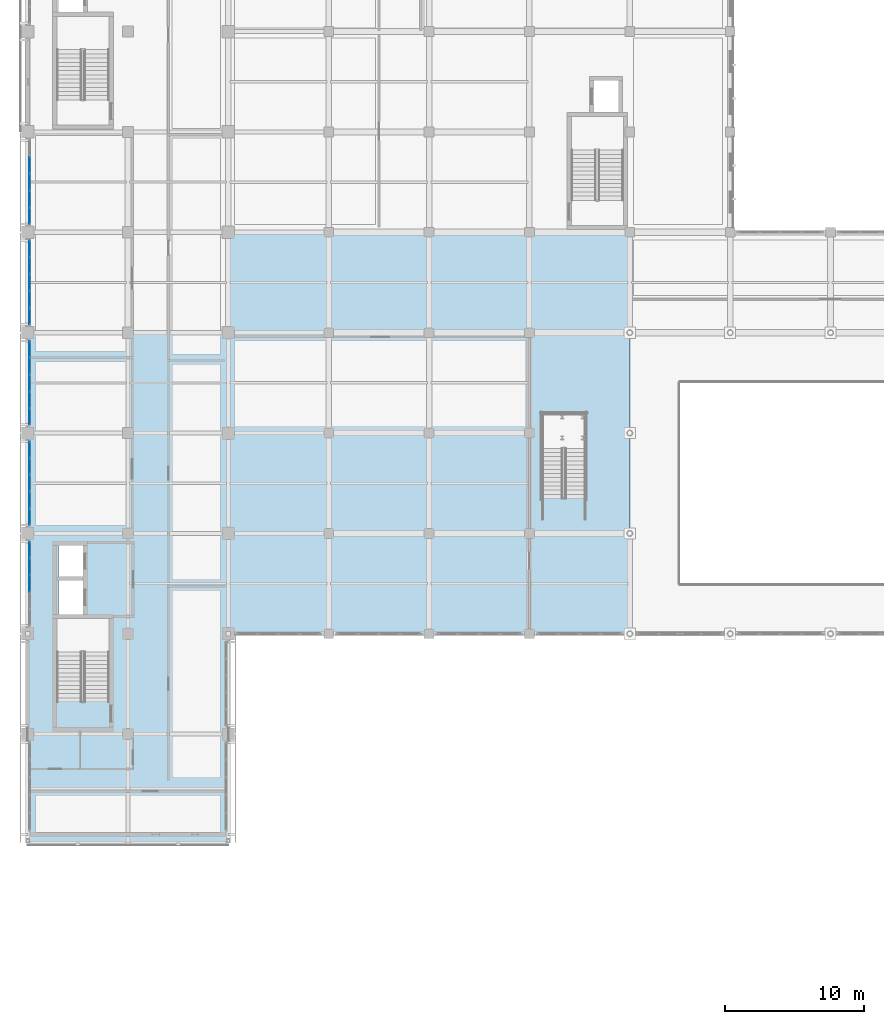
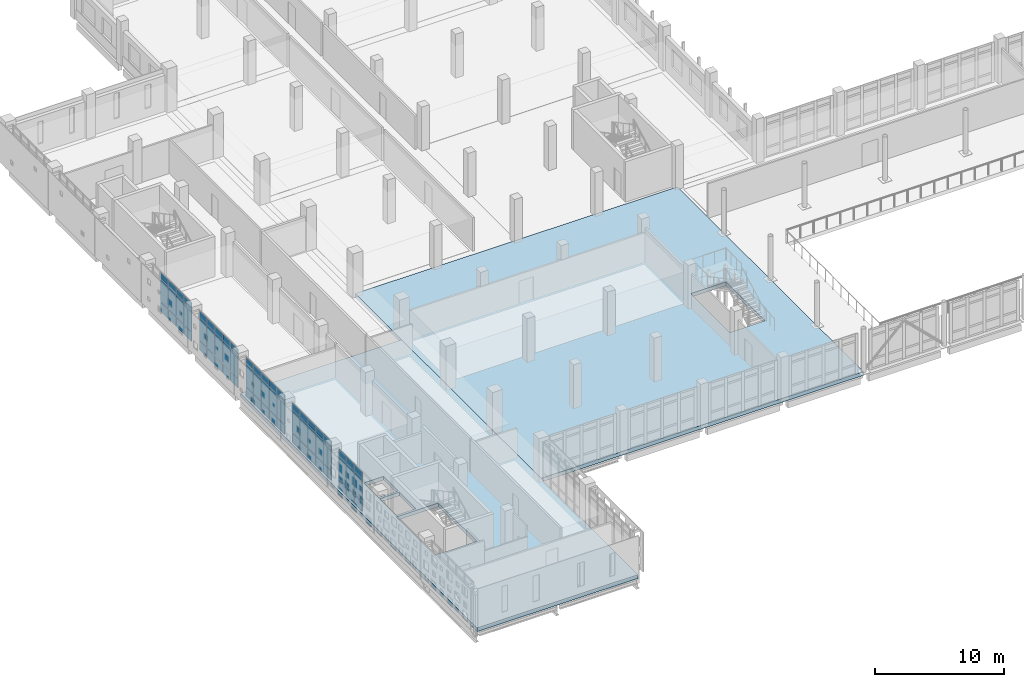
# One storey, part 29 of 62: 66 plates, 2 slabs, 5 elements without a shape of their own.
"""IFC4 building model written with IfcOpenShell, lengths in metres."""

from ifc_helpers import new_model, si_unit, direction, frame, origin, origin_2d, place, context, subcontext, project, spatial, polyline, rectangle, outline, extrude, material, layer, layer_set, type_object, element, aggregate, save


model = new_model("IFC4")

# Units and contexts
model_context = context("Model", 3, precision=1e-05, world=origin(), true_north=direction((0.0, 1.0)))
body_context = subcontext(model_context, "Body", "Model", "MODEL_VIEW")
ifc_project = project(units=[si_unit("LENGTHUNIT", "METRE"), si_unit("AREAUNIT", "SQUARE_METRE"), si_unit("VOLUMEUNIT", "CUBIC_METRE"), si_unit("PLANEANGLEUNIT", "RADIAN"), si_unit("MASSUNIT", "GRAM", prefix="KILO")], contexts=[model_context])

# Site, building, storey
site_placement = place(None, origin())
site = spatial("IfcSite", under=ifc_project, at=site_placement, CompositionType="ELEMENT")
building_placement = place(site_placement, origin())
building = spatial("IfcBuilding", under=site, at=building_placement, Name="Valkovuoma Quantum and Materials Research Institute", CompositionType="ELEMENT")
storey_placement = place(building_placement, frame((0.0, 0.0, 8.9599609375)))
storey = spatial("IfcBuildingStorey", under=building, at=storey_placement, Name="L02", CompositionType="ELEMENT", Elevation=8.9599609375)

# Curtain wall, plates
ifc_material_1 = material(Name="Thermally broken aluminium and triple low-E glazing", Category="aluminium")
ifc_layer_1 = layer(ifc_material_1, 0.219970703125)
ifc_layer_set_1 = layer_set([ifc_layer_1], Name="Thermally broken aluminium and triple low-E glazing")
curtain_wall_type = type_object("IfcCurtainWallType", Name="CW-CW-01", PredefinedType="NOTDEFINED", material=ifc_layer_set_1)
curtain_wall_1_placement = place(storey_placement, origin())
curtain_wall_1 = element("IfcCurtainWall", 1, at=curtain_wall_1_placement, inside=storey, type_object=curtain_wall_type, Name="L02 curtain wall 021", PredefinedType="NOTDEFINED")
ifc_material_2 = material(Name="Triple low-E argon insulating glass", Category="glass")
ifc_layer_2 = layer(ifc_material_2, 0.035888671875)
ifc_layer_set_2 = layer_set([ifc_layer_2], Name="Triple low-E argon insulating glass")
plate_type = type_object("IfcPlateType", Name="CWPanel-CWP-01", PredefinedType="CURTAIN_PANEL", material=ifc_layer_set_2)
plate_1_placement = place(storey_placement, frame((0.14990234375, 39.60009765625, 0.06494140625), z_axis=(0.0, 0.0, 1.0), x_axis=(0.0, 1.0, 0.0)))
plate_1 = element("IfcPlate", 2, at=plate_1_placement, type_object=plate_type, Name="CW-01 panel 3.1", PredefinedType="CURTAIN_PANEL", context=body_context, shape_type="SweptSolid", body=[
    extrude(rectangle(XDim=1.152099609375, YDim=0.035888671875, at=origin_2d()), origin(), (0.0, 0.0, 1.0), 0.8525390625),
])
plate_2_placement = place(storey_placement, frame((0.14990234375, 39.60009765625, 0.982421875), z_axis=(0.0, 0.0, 1.0), x_axis=(0.0, 1.0, 0.0)))
plate_2 = element("IfcPlate", 3, at=plate_2_placement, type_object=plate_type, Name="CW-01 panel 3.2", PredefinedType="CURTAIN_PANEL", context=body_context, shape_type="SweptSolid", body=[
    extrude(rectangle(XDim=1.152099609375, YDim=0.035888671875, at=origin_2d()), origin(), (0.0, 0.0, 1.0), 2.14501953125),
])
plate_3_placement = place(storey_placement, frame((0.14990234375, 39.60009765625, 3.1923828125), z_axis=(0.0, 0.0, 1.0), x_axis=(0.0, 1.0, 0.0)))
plate_3 = element("IfcPlate", 4, at=plate_3_placement, type_object=plate_type, Name="CW-01 panel 3.3", PredefinedType="CURTAIN_PANEL", context=body_context, shape_type="SweptSolid", body=[
    extrude(rectangle(XDim=1.152099609375, YDim=0.035888671875, at=origin_2d()), origin(), (0.0, 0.0, 1.0), 0.552490234375),
])
plate_4_placement = place(storey_placement, frame((0.14990234375, 40.817138671875, 0.06494140625), z_axis=(0.0, 0.0, 1.0), x_axis=(0.0, 1.0, 0.0)))
plate_4 = element("IfcPlate", 5, at=plate_4_placement, type_object=plate_type, Name="CW-01 panel 4.1", PredefinedType="CURTAIN_PANEL", context=body_context, shape_type="SweptSolid", body=[
    extrude(rectangle(XDim=1.152099609375, YDim=0.035888671875, at=origin_2d()), origin(), (0.0, 0.0, 1.0), 0.8525390625),
])
plate_5_placement = place(storey_placement, frame((0.14990234375, 40.817138671875, 0.982421875), z_axis=(0.0, 0.0, 1.0), x_axis=(0.0, 1.0, 0.0)))
plate_5 = element("IfcPlate", 6, at=plate_5_placement, type_object=plate_type, Name="CW-01 panel 4.2", PredefinedType="CURTAIN_PANEL", context=body_context, shape_type="SweptSolid", body=[
    extrude(rectangle(XDim=1.152099609375, YDim=0.035888671875, at=origin_2d()), origin(), (0.0, 0.0, 1.0), 2.14501953125),
])
plate_6_placement = place(storey_placement, frame((0.14990234375, 40.817138671875, 3.1923828125), z_axis=(0.0, 0.0, 1.0), x_axis=(0.0, 1.0, 0.0)))
plate_6 = element("IfcPlate", 7, at=plate_6_placement, type_object=plate_type, Name="CW-01 panel 4.3", PredefinedType="CURTAIN_PANEL", context=body_context, shape_type="SweptSolid", body=[
    extrude(rectangle(XDim=1.152099609375, YDim=0.035888671875, at=origin_2d()), origin(), (0.0, 0.0, 1.0), 0.552490234375),
])
plate_7_placement = place(storey_placement, frame((0.14990234375, 42.01806640625, 0.06494140625), z_axis=(0.0, 0.0, 1.0), x_axis=(0.0, 1.0, 0.0)))
plate_7 = element("IfcPlate", 8, at=plate_7_placement, type_object=plate_type, Name="CW-01 panel 5.1", PredefinedType="CURTAIN_PANEL", context=body_context, shape_type="SweptSolid", body=[
    extrude(rectangle(XDim=1.11962890625, YDim=0.035888671875, at=origin_2d()), origin(), (0.0, 0.0, 1.0), 0.8525390625),
])
plate_8_placement = place(storey_placement, frame((0.14990234375, 42.01806640625, 0.982421875), z_axis=(0.0, 0.0, 1.0), x_axis=(0.0, 1.0, 0.0)))
plate_8 = element("IfcPlate", 9, at=plate_8_placement, type_object=plate_type, Name="CW-01 panel 5.2", PredefinedType="CURTAIN_PANEL", context=body_context, shape_type="SweptSolid", body=[
    extrude(rectangle(XDim=1.11962890625, YDim=0.035888671875, at=origin_2d()), origin(), (0.0, 0.0, 1.0), 2.14501953125),
])
plate_9_placement = place(storey_placement, frame((0.14990234375, 42.01806640625, 3.1923828125), z_axis=(0.0, 0.0, 1.0), x_axis=(0.0, 1.0, 0.0)))
plate_9 = element("IfcPlate", 10, at=plate_9_placement, type_object=plate_type, Name="CW-01 panel 5.3", PredefinedType="CURTAIN_PANEL", context=body_context, shape_type="SweptSolid", body=[
    extrude(rectangle(XDim=1.11962890625, YDim=0.035888671875, at=origin_2d()), origin(), (0.0, 0.0, 1.0), 0.552490234375),
])
aggregate(curtain_wall_1, [plate_1, plate_2, plate_3, plate_4, plate_5, plate_6, plate_7, plate_8, plate_9])

curtain_wall_2_placement = place(storey_placement, origin())
curtain_wall_2 = element("IfcCurtainWall", 11, at=curtain_wall_2_placement, inside=storey, type_object=curtain_wall_type, Name="L02 curtain wall 022", PredefinedType="NOTDEFINED")
plate_10_placement = place(storey_placement, frame((0.14990234375, 44.3818359375, 0.06494140625), z_axis=(0.0, 0.0, 1.0), x_axis=(0.0, 1.0, 0.0)))
plate_10 = element("IfcPlate", 12, at=plate_10_placement, type_object=plate_type, Name="CW-01 panel 1.1", PredefinedType="CURTAIN_PANEL", context=body_context, shape_type="SweptSolid", body=[
    extrude(rectangle(XDim=1.11962890625, YDim=0.035888671875, at=origin_2d()), origin(), (0.0, 0.0, 1.0), 0.8525390625),
])
plate_11_placement = place(storey_placement, frame((0.14990234375, 44.3818359375, 0.982421875), z_axis=(0.0, 0.0, 1.0), x_axis=(0.0, 1.0, 0.0)))
plate_11 = element("IfcPlate", 13, at=plate_11_placement, type_object=plate_type, Name="CW-01 panel 1.2", PredefinedType="CURTAIN_PANEL", context=body_context, shape_type="SweptSolid", body=[
    extrude(rectangle(XDim=1.11962890625, YDim=0.035888671875, at=origin_2d()), origin(), (0.0, 0.0, 1.0), 2.14501953125),
])
plate_12_placement = place(storey_placement, frame((0.14990234375, 44.3818359375, 3.1923828125), z_axis=(0.0, 0.0, 1.0), x_axis=(0.0, 1.0, 0.0)))
plate_12 = element("IfcPlate", 14, at=plate_12_placement, type_object=plate_type, Name="CW-01 panel 1.3", PredefinedType="CURTAIN_PANEL", context=body_context, shape_type="SweptSolid", body=[
    extrude(rectangle(XDim=1.11962890625, YDim=0.035888671875, at=origin_2d()), origin(), (0.0, 0.0, 1.0), 0.552490234375),
])
plate_13_placement = place(storey_placement, frame((0.14990234375, 45.582763671875, 0.06494140625), z_axis=(0.0, 0.0, 1.0), x_axis=(0.0, 1.0, 0.0)))
plate_13 = element("IfcPlate", 15, at=plate_13_placement, type_object=plate_type, Name="CW-01 panel 2.1", PredefinedType="CURTAIN_PANEL", context=body_context, shape_type="SweptSolid", body=[
    extrude(rectangle(XDim=1.152099609375, YDim=0.035888671875, at=origin_2d()), origin(), (0.0, 0.0, 1.0), 0.8525390625),
])
plate_14_placement = place(storey_placement, frame((0.14990234375, 45.582763671875, 0.982421875), z_axis=(0.0, 0.0, 1.0), x_axis=(0.0, 1.0, 0.0)))
plate_14 = element("IfcPlate", 16, at=plate_14_placement, type_object=plate_type, Name="CW-01 panel 2.2", PredefinedType="CURTAIN_PANEL", context=body_context, shape_type="SweptSolid", body=[
    extrude(rectangle(XDim=1.152099609375, YDim=0.035888671875, at=origin_2d()), origin(), (0.0, 0.0, 1.0), 2.14501953125),
])
plate_15_placement = place(storey_placement, frame((0.14990234375, 45.582763671875, 3.1923828125), z_axis=(0.0, 0.0, 1.0), x_axis=(0.0, 1.0, 0.0)))
plate_15 = element("IfcPlate", 17, at=plate_15_placement, type_object=plate_type, Name="CW-01 panel 2.3", PredefinedType="CURTAIN_PANEL", context=body_context, shape_type="SweptSolid", body=[
    extrude(rectangle(XDim=1.152099609375, YDim=0.035888671875, at=origin_2d()), origin(), (0.0, 0.0, 1.0), 0.552490234375),
])
plate_16_placement = place(storey_placement, frame((0.14990234375, 46.800048828125, 0.06494140625), z_axis=(0.0, 0.0, 1.0), x_axis=(0.0, 1.0, 0.0)))
plate_16 = element("IfcPlate", 18, at=plate_16_placement, type_object=plate_type, Name="CW-01 panel 3.1", PredefinedType="CURTAIN_PANEL", context=body_context, shape_type="SweptSolid", body=[
    extrude(rectangle(XDim=1.152099609375, YDim=0.035888671875, at=origin_2d()), origin(), (0.0, 0.0, 1.0), 0.8525390625),
])
plate_17_placement = place(storey_placement, frame((0.14990234375, 46.800048828125, 0.982421875), z_axis=(0.0, 0.0, 1.0), x_axis=(0.0, 1.0, 0.0)))
plate_17 = element("IfcPlate", 19, at=plate_17_placement, type_object=plate_type, Name="CW-01 panel 3.2", PredefinedType="CURTAIN_PANEL", context=body_context, shape_type="SweptSolid", body=[
    extrude(rectangle(XDim=1.152099609375, YDim=0.035888671875, at=origin_2d()), origin(), (0.0, 0.0, 1.0), 2.14501953125),
])
plate_18_placement = place(storey_placement, frame((0.14990234375, 46.800048828125, 3.1923828125), z_axis=(0.0, 0.0, 1.0), x_axis=(0.0, 1.0, 0.0)))
plate_18 = element("IfcPlate", 20, at=plate_18_placement, type_object=plate_type, Name="CW-01 panel 3.3", PredefinedType="CURTAIN_PANEL", context=body_context, shape_type="SweptSolid", body=[
    extrude(rectangle(XDim=1.152099609375, YDim=0.035888671875, at=origin_2d()), origin(), (0.0, 0.0, 1.0), 0.552490234375),
])
plate_19_placement = place(storey_placement, frame((0.14990234375, 48.01708984375, 0.06494140625), z_axis=(0.0, 0.0, 1.0), x_axis=(0.0, 1.0, 0.0)))
plate_19 = element("IfcPlate", 21, at=plate_19_placement, type_object=plate_type, Name="CW-01 panel 4.1", PredefinedType="CURTAIN_PANEL", context=body_context, shape_type="SweptSolid", body=[
    extrude(rectangle(XDim=1.152099609375, YDim=0.035888671875, at=origin_2d()), origin(), (0.0, 0.0, 1.0), 0.8525390625),
])
plate_20_placement = place(storey_placement, frame((0.14990234375, 48.01708984375, 0.982421875), z_axis=(0.0, 0.0, 1.0), x_axis=(0.0, 1.0, 0.0)))
plate_20 = element("IfcPlate", 22, at=plate_20_placement, type_object=plate_type, Name="CW-01 panel 4.2", PredefinedType="CURTAIN_PANEL", context=body_context, shape_type="SweptSolid", body=[
    extrude(rectangle(XDim=1.152099609375, YDim=0.035888671875, at=origin_2d()), origin(), (0.0, 0.0, 1.0), 2.14501953125),
])
plate_21_placement = place(storey_placement, frame((0.14990234375, 48.01708984375, 3.1923828125), z_axis=(0.0, 0.0, 1.0), x_axis=(0.0, 1.0, 0.0)))
plate_21 = element("IfcPlate", 23, at=plate_21_placement, type_object=plate_type, Name="CW-01 panel 4.3", PredefinedType="CURTAIN_PANEL", context=body_context, shape_type="SweptSolid", body=[
    extrude(rectangle(XDim=1.152099609375, YDim=0.035888671875, at=origin_2d()), origin(), (0.0, 0.0, 1.0), 0.552490234375),
])
plate_22_placement = place(storey_placement, frame((0.14990234375, 49.218017578125, 0.06494140625), z_axis=(0.0, 0.0, 1.0), x_axis=(0.0, 1.0, 0.0)))
plate_22 = element("IfcPlate", 24, at=plate_22_placement, type_object=plate_type, Name="CW-01 panel 5.1", PredefinedType="CURTAIN_PANEL", context=body_context, shape_type="SweptSolid", body=[
    extrude(rectangle(XDim=1.11962890625, YDim=0.035888671875, at=origin_2d()), origin(), (0.0, 0.0, 1.0), 0.8525390625),
])
plate_23_placement = place(storey_placement, frame((0.14990234375, 49.218017578125, 0.982421875), z_axis=(0.0, 0.0, 1.0), x_axis=(0.0, 1.0, 0.0)))
plate_23 = element("IfcPlate", 25, at=plate_23_placement, type_object=plate_type, Name="CW-01 panel 5.2", PredefinedType="CURTAIN_PANEL", context=body_context, shape_type="SweptSolid", body=[
    extrude(rectangle(XDim=1.11962890625, YDim=0.035888671875, at=origin_2d()), origin(), (0.0, 0.0, 1.0), 2.14501953125),
])
plate_24_placement = place(storey_placement, frame((0.14990234375, 49.218017578125, 3.1923828125), z_axis=(0.0, 0.0, 1.0), x_axis=(0.0, 1.0, 0.0)))
plate_24 = element("IfcPlate", 26, at=plate_24_placement, type_object=plate_type, Name="CW-01 panel 5.3", PredefinedType="CURTAIN_PANEL", context=body_context, shape_type="SweptSolid", body=[
    extrude(rectangle(XDim=1.11962890625, YDim=0.035888671875, at=origin_2d()), origin(), (0.0, 0.0, 1.0), 0.552490234375),
])
aggregate(curtain_wall_2, [plate_10, plate_11, plate_12, plate_13, plate_14, plate_15, plate_16, plate_17, plate_18, plate_19, plate_20, plate_21, plate_22, plate_23, plate_24])

curtain_wall_3_placement = place(storey_placement, origin())
curtain_wall_3 = element("IfcCurtainWall", 27, at=curtain_wall_3_placement, inside=storey, type_object=curtain_wall_type, Name="L02 curtain wall 023", PredefinedType="NOTDEFINED")
plate_25_placement = place(storey_placement, frame((0.14990234375, 51.58203125, 0.06494140625), z_axis=(0.0, 0.0, 1.0), x_axis=(0.0, 1.0, 0.0)))
plate_25 = element("IfcPlate", 28, at=plate_25_placement, type_object=plate_type, Name="CW-01 panel 1.1", PredefinedType="CURTAIN_PANEL", context=body_context, shape_type="SweptSolid", body=[
    extrude(rectangle(XDim=1.11962890625, YDim=0.035888671875, at=origin_2d()), origin(), (0.0, 0.0, 1.0), 0.8525390625),
])
plate_26_placement = place(storey_placement, frame((0.14990234375, 51.58203125, 0.982421875), z_axis=(0.0, 0.0, 1.0), x_axis=(0.0, 1.0, 0.0)))
plate_26 = element("IfcPlate", 29, at=plate_26_placement, type_object=plate_type, Name="CW-01 panel 1.2", PredefinedType="CURTAIN_PANEL", context=body_context, shape_type="SweptSolid", body=[
    extrude(rectangle(XDim=1.11962890625, YDim=0.035888671875, at=origin_2d()), origin(), (0.0, 0.0, 1.0), 2.14501953125),
])
plate_27_placement = place(storey_placement, frame((0.14990234375, 51.58203125, 3.1923828125), z_axis=(0.0, 0.0, 1.0), x_axis=(0.0, 1.0, 0.0)))
plate_27 = element("IfcPlate", 30, at=plate_27_placement, type_object=plate_type, Name="CW-01 panel 1.3", PredefinedType="CURTAIN_PANEL", context=body_context, shape_type="SweptSolid", body=[
    extrude(rectangle(XDim=1.11962890625, YDim=0.035888671875, at=origin_2d()), origin(), (0.0, 0.0, 1.0), 0.552490234375),
])
plate_28_placement = place(storey_placement, frame((0.14990234375, 52.782958984375, 0.06494140625), z_axis=(0.0, 0.0, 1.0), x_axis=(0.0, 1.0, 0.0)))
plate_28 = element("IfcPlate", 31, at=plate_28_placement, type_object=plate_type, Name="CW-01 panel 2.1", PredefinedType="CURTAIN_PANEL", context=body_context, shape_type="SweptSolid", body=[
    extrude(rectangle(XDim=1.152099609375, YDim=0.035888671875, at=origin_2d()), origin(), (0.0, 0.0, 1.0), 0.8525390625),
])
plate_29_placement = place(storey_placement, frame((0.14990234375, 52.782958984375, 0.982421875), z_axis=(0.0, 0.0, 1.0), x_axis=(0.0, 1.0, 0.0)))
plate_29 = element("IfcPlate", 32, at=plate_29_placement, type_object=plate_type, Name="CW-01 panel 2.2", PredefinedType="CURTAIN_PANEL", context=body_context, shape_type="SweptSolid", body=[
    extrude(rectangle(XDim=1.152099609375, YDim=0.035888671875, at=origin_2d()), origin(), (0.0, 0.0, 1.0), 2.14501953125),
])
plate_30_placement = place(storey_placement, frame((0.14990234375, 52.782958984375, 3.1923828125), z_axis=(0.0, 0.0, 1.0), x_axis=(0.0, 1.0, 0.0)))
plate_30 = element("IfcPlate", 33, at=plate_30_placement, type_object=plate_type, Name="CW-01 panel 2.3", PredefinedType="CURTAIN_PANEL", context=body_context, shape_type="SweptSolid", body=[
    extrude(rectangle(XDim=1.152099609375, YDim=0.035888671875, at=origin_2d()), origin(), (0.0, 0.0, 1.0), 0.552490234375),
])
plate_31_placement = place(storey_placement, frame((0.14990234375, 54.0, 0.06494140625), z_axis=(0.0, 0.0, 1.0), x_axis=(0.0, 1.0, 0.0)))
plate_31 = element("IfcPlate", 34, at=plate_31_placement, type_object=plate_type, Name="CW-01 panel 3.1", PredefinedType="CURTAIN_PANEL", context=body_context, shape_type="SweptSolid", body=[
    extrude(rectangle(XDim=1.152099609375, YDim=0.035888671875, at=origin_2d()), origin(), (0.0, 0.0, 1.0), 0.8525390625),
])
plate_32_placement = place(storey_placement, frame((0.14990234375, 54.0, 0.982421875), z_axis=(0.0, 0.0, 1.0), x_axis=(0.0, 1.0, 0.0)))
plate_32 = element("IfcPlate", 35, at=plate_32_placement, type_object=plate_type, Name="CW-01 panel 3.2", PredefinedType="CURTAIN_PANEL", context=body_context, shape_type="SweptSolid", body=[
    extrude(rectangle(XDim=1.152099609375, YDim=0.035888671875, at=origin_2d()), origin(), (0.0, 0.0, 1.0), 2.14501953125),
])
plate_33_placement = place(storey_placement, frame((0.14990234375, 54.0, 3.1923828125), z_axis=(0.0, 0.0, 1.0), x_axis=(0.0, 1.0, 0.0)))
plate_33 = element("IfcPlate", 36, at=plate_33_placement, type_object=plate_type, Name="CW-01 panel 3.3", PredefinedType="CURTAIN_PANEL", context=body_context, shape_type="SweptSolid", body=[
    extrude(rectangle(XDim=1.152099609375, YDim=0.035888671875, at=origin_2d()), origin(), (0.0, 0.0, 1.0), 0.552490234375),
])
plate_34_placement = place(storey_placement, frame((0.14990234375, 55.217041015625, 0.06494140625), z_axis=(0.0, 0.0, 1.0), x_axis=(0.0, 1.0, 0.0)))
plate_34 = element("IfcPlate", 37, at=plate_34_placement, type_object=plate_type, Name="CW-01 panel 4.1", PredefinedType="CURTAIN_PANEL", context=body_context, shape_type="SweptSolid", body=[
    extrude(rectangle(XDim=1.152099609375, YDim=0.035888671875, at=origin_2d()), origin(), (0.0, 0.0, 1.0), 0.8525390625),
])
plate_35_placement = place(storey_placement, frame((0.14990234375, 55.217041015625, 0.982421875), z_axis=(0.0, 0.0, 1.0), x_axis=(0.0, 1.0, 0.0)))
plate_35 = element("IfcPlate", 38, at=plate_35_placement, type_object=plate_type, Name="CW-01 panel 4.2", PredefinedType="CURTAIN_PANEL", context=body_context, shape_type="SweptSolid", body=[
    extrude(rectangle(XDim=1.152099609375, YDim=0.035888671875, at=origin_2d()), origin(), (0.0, 0.0, 1.0), 2.14501953125),
])
plate_36_placement = place(storey_placement, frame((0.14990234375, 55.217041015625, 3.1923828125), z_axis=(0.0, 0.0, 1.0), x_axis=(0.0, 1.0, 0.0)))
plate_36 = element("IfcPlate", 39, at=plate_36_placement, type_object=plate_type, Name="CW-01 panel 4.3", PredefinedType="CURTAIN_PANEL", context=body_context, shape_type="SweptSolid", body=[
    extrude(rectangle(XDim=1.152099609375, YDim=0.035888671875, at=origin_2d()), origin(), (0.0, 0.0, 1.0), 0.552490234375),
])
plate_37_placement = place(storey_placement, frame((0.14990234375, 56.41796875, 0.06494140625), z_axis=(0.0, 0.0, 1.0), x_axis=(0.0, 1.0, 0.0)))
plate_37 = element("IfcPlate", 40, at=plate_37_placement, type_object=plate_type, Name="CW-01 panel 5.1", PredefinedType="CURTAIN_PANEL", context=body_context, shape_type="SweptSolid", body=[
    extrude(rectangle(XDim=1.11962890625, YDim=0.035888671875, at=origin_2d()), origin(), (0.0, 0.0, 1.0), 0.8525390625),
])
plate_38_placement = place(storey_placement, frame((0.14990234375, 56.41796875, 0.982421875), z_axis=(0.0, 0.0, 1.0), x_axis=(0.0, 1.0, 0.0)))
plate_38 = element("IfcPlate", 41, at=plate_38_placement, type_object=plate_type, Name="CW-01 panel 5.2", PredefinedType="CURTAIN_PANEL", context=body_context, shape_type="SweptSolid", body=[
    extrude(rectangle(XDim=1.11962890625, YDim=0.035888671875, at=origin_2d()), origin(), (0.0, 0.0, 1.0), 2.14501953125),
])
plate_39_placement = place(storey_placement, frame((0.14990234375, 56.41796875, 3.1923828125), z_axis=(0.0, 0.0, 1.0), x_axis=(0.0, 1.0, 0.0)))
plate_39 = element("IfcPlate", 42, at=plate_39_placement, type_object=plate_type, Name="CW-01 panel 5.3", PredefinedType="CURTAIN_PANEL", context=body_context, shape_type="SweptSolid", body=[
    extrude(rectangle(XDim=1.11962890625, YDim=0.035888671875, at=origin_2d()), origin(), (0.0, 0.0, 1.0), 0.552490234375),
])
aggregate(curtain_wall_3, [plate_25, plate_26, plate_27, plate_28, plate_29, plate_30, plate_31, plate_32, plate_33, plate_34, plate_35, plate_36, plate_37, plate_38, plate_39])

curtain_wall_4_placement = place(storey_placement, origin())
curtain_wall_4 = element("IfcCurtainWall", 43, at=curtain_wall_4_placement, inside=storey, type_object=curtain_wall_type, Name="L02 curtain wall 024", PredefinedType="NOTDEFINED")
plate_40_placement = place(storey_placement, frame((0.14990234375, 58.781982421875, 0.06494140625), z_axis=(0.0, 0.0, 1.0), x_axis=(0.0, 1.0, 0.0)))
plate_40 = element("IfcPlate", 44, at=plate_40_placement, type_object=plate_type, Name="CW-01 panel 1.1", PredefinedType="CURTAIN_PANEL", context=body_context, shape_type="SweptSolid", body=[
    extrude(rectangle(XDim=1.11962890625, YDim=0.035888671875, at=origin_2d()), origin(), (0.0, 0.0, 1.0), 0.8525390625),
])
plate_41_placement = place(storey_placement, frame((0.14990234375, 58.781982421875, 0.982421875), z_axis=(0.0, 0.0, 1.0), x_axis=(0.0, 1.0, 0.0)))
plate_41 = element("IfcPlate", 45, at=plate_41_placement, type_object=plate_type, Name="CW-01 panel 1.2", PredefinedType="CURTAIN_PANEL", context=body_context, shape_type="SweptSolid", body=[
    extrude(rectangle(XDim=1.11962890625, YDim=0.035888671875, at=origin_2d()), origin(), (0.0, 0.0, 1.0), 2.14501953125),
])
plate_42_placement = place(storey_placement, frame((0.14990234375, 58.781982421875, 3.1923828125), z_axis=(0.0, 0.0, 1.0), x_axis=(0.0, 1.0, 0.0)))
plate_42 = element("IfcPlate", 46, at=plate_42_placement, type_object=plate_type, Name="CW-01 panel 1.3", PredefinedType="CURTAIN_PANEL", context=body_context, shape_type="SweptSolid", body=[
    extrude(rectangle(XDim=1.11962890625, YDim=0.035888671875, at=origin_2d()), origin(), (0.0, 0.0, 1.0), 0.552490234375),
])
plate_43_placement = place(storey_placement, frame((0.14990234375, 59.98291015625, 0.06494140625), z_axis=(0.0, 0.0, 1.0), x_axis=(0.0, 1.0, 0.0)))
plate_43 = element("IfcPlate", 47, at=plate_43_placement, type_object=plate_type, Name="CW-01 panel 2.1", PredefinedType="CURTAIN_PANEL", context=body_context, shape_type="SweptSolid", body=[
    extrude(rectangle(XDim=1.152099609375, YDim=0.035888671875, at=origin_2d()), origin(), (0.0, 0.0, 1.0), 0.8525390625),
])
plate_44_placement = place(storey_placement, frame((0.14990234375, 59.98291015625, 0.982421875), z_axis=(0.0, 0.0, 1.0), x_axis=(0.0, 1.0, 0.0)))
plate_44 = element("IfcPlate", 48, at=plate_44_placement, type_object=plate_type, Name="CW-01 panel 2.2", PredefinedType="CURTAIN_PANEL", context=body_context, shape_type="SweptSolid", body=[
    extrude(rectangle(XDim=1.152099609375, YDim=0.035888671875, at=origin_2d()), origin(), (0.0, 0.0, 1.0), 2.14501953125),
])
plate_45_placement = place(storey_placement, frame((0.14990234375, 59.98291015625, 3.1923828125), z_axis=(0.0, 0.0, 1.0), x_axis=(0.0, 1.0, 0.0)))
plate_45 = element("IfcPlate", 49, at=plate_45_placement, type_object=plate_type, Name="CW-01 panel 2.3", PredefinedType="CURTAIN_PANEL", context=body_context, shape_type="SweptSolid", body=[
    extrude(rectangle(XDim=1.152099609375, YDim=0.035888671875, at=origin_2d()), origin(), (0.0, 0.0, 1.0), 0.552490234375),
])
plate_46_placement = place(storey_placement, frame((0.14990234375, 61.199951171875, 0.06494140625), z_axis=(0.0, 0.0, 1.0), x_axis=(0.0, 1.0, 0.0)))
plate_46 = element("IfcPlate", 50, at=plate_46_placement, type_object=plate_type, Name="CW-01 panel 3.1", PredefinedType="CURTAIN_PANEL", context=body_context, shape_type="SweptSolid", body=[
    extrude(rectangle(XDim=1.152099609375, YDim=0.035888671875, at=origin_2d()), origin(), (0.0, 0.0, 1.0), 0.8525390625),
])
plate_47_placement = place(storey_placement, frame((0.14990234375, 61.199951171875, 0.982421875), z_axis=(0.0, 0.0, 1.0), x_axis=(0.0, 1.0, 0.0)))
plate_47 = element("IfcPlate", 51, at=plate_47_placement, type_object=plate_type, Name="CW-01 panel 3.2", PredefinedType="CURTAIN_PANEL", context=body_context, shape_type="SweptSolid", body=[
    extrude(rectangle(XDim=1.152099609375, YDim=0.035888671875, at=origin_2d()), origin(), (0.0, 0.0, 1.0), 2.14501953125),
])
plate_48_placement = place(storey_placement, frame((0.14990234375, 61.199951171875, 3.1923828125), z_axis=(0.0, 0.0, 1.0), x_axis=(0.0, 1.0, 0.0)))
plate_48 = element("IfcPlate", 52, at=plate_48_placement, type_object=plate_type, Name="CW-01 panel 3.3", PredefinedType="CURTAIN_PANEL", context=body_context, shape_type="SweptSolid", body=[
    extrude(rectangle(XDim=1.152099609375, YDim=0.035888671875, at=origin_2d()), origin(), (0.0, 0.0, 1.0), 0.552490234375),
])
plate_49_placement = place(storey_placement, frame((0.14990234375, 62.417236328125, 0.06494140625), z_axis=(0.0, 0.0, 1.0), x_axis=(0.0, 1.0, 0.0)))
plate_49 = element("IfcPlate", 53, at=plate_49_placement, type_object=plate_type, Name="CW-01 panel 4.1", PredefinedType="CURTAIN_PANEL", context=body_context, shape_type="SweptSolid", body=[
    extrude(rectangle(XDim=1.152099609375, YDim=0.035888671875, at=origin_2d()), origin(), (0.0, 0.0, 1.0), 0.8525390625),
])
plate_50_placement = place(storey_placement, frame((0.14990234375, 62.417236328125, 0.982421875), z_axis=(0.0, 0.0, 1.0), x_axis=(0.0, 1.0, 0.0)))
plate_50 = element("IfcPlate", 54, at=plate_50_placement, type_object=plate_type, Name="CW-01 panel 4.2", PredefinedType="CURTAIN_PANEL", context=body_context, shape_type="SweptSolid", body=[
    extrude(rectangle(XDim=1.152099609375, YDim=0.035888671875, at=origin_2d()), origin(), (0.0, 0.0, 1.0), 2.14501953125),
])
plate_51_placement = place(storey_placement, frame((0.14990234375, 62.417236328125, 3.1923828125), z_axis=(0.0, 0.0, 1.0), x_axis=(0.0, 1.0, 0.0)))
plate_51 = element("IfcPlate", 55, at=plate_51_placement, type_object=plate_type, Name="CW-01 panel 4.3", PredefinedType="CURTAIN_PANEL", context=body_context, shape_type="SweptSolid", body=[
    extrude(rectangle(XDim=1.152099609375, YDim=0.035888671875, at=origin_2d()), origin(), (0.0, 0.0, 1.0), 0.552490234375),
])
plate_52_placement = place(storey_placement, frame((0.14990234375, 63.6181640625, 0.06494140625), z_axis=(0.0, 0.0, 1.0), x_axis=(0.0, 1.0, 0.0)))
plate_52 = element("IfcPlate", 56, at=plate_52_placement, type_object=plate_type, Name="CW-01 panel 5.1", PredefinedType="CURTAIN_PANEL", context=body_context, shape_type="SweptSolid", body=[
    extrude(rectangle(XDim=1.11962890625, YDim=0.035888671875, at=origin_2d()), origin(), (0.0, 0.0, 1.0), 0.8525390625),
])
plate_53_placement = place(storey_placement, frame((0.14990234375, 63.6181640625, 0.982421875), z_axis=(0.0, 0.0, 1.0), x_axis=(0.0, 1.0, 0.0)))
plate_53 = element("IfcPlate", 57, at=plate_53_placement, type_object=plate_type, Name="CW-01 panel 5.2", PredefinedType="CURTAIN_PANEL", context=body_context, shape_type="SweptSolid", body=[
    extrude(rectangle(XDim=1.11962890625, YDim=0.035888671875, at=origin_2d()), origin(), (0.0, 0.0, 1.0), 2.14501953125),
])
plate_54_placement = place(storey_placement, frame((0.14990234375, 63.6181640625, 3.1923828125), z_axis=(0.0, 0.0, 1.0), x_axis=(0.0, 1.0, 0.0)))
plate_54 = element("IfcPlate", 58, at=plate_54_placement, type_object=plate_type, Name="CW-01 panel 5.3", PredefinedType="CURTAIN_PANEL", context=body_context, shape_type="SweptSolid", body=[
    extrude(rectangle(XDim=1.11962890625, YDim=0.035888671875, at=origin_2d()), origin(), (0.0, 0.0, 1.0), 0.552490234375),
])
aggregate(curtain_wall_4, [plate_40, plate_41, plate_42, plate_43, plate_44, plate_45, plate_46, plate_47, plate_48, plate_49, plate_50, plate_51, plate_52, plate_53, plate_54])

curtain_wall_5_placement = place(storey_placement, origin())
curtain_wall_5 = element("IfcCurtainWall", 59, at=curtain_wall_5_placement, inside=storey, type_object=curtain_wall_type, Name="L02 curtain wall 025", PredefinedType="NOTDEFINED")
plate_55_placement = place(storey_placement, frame((0.14990234375, 65.98193359375, 0.06494140625), z_axis=(0.0, 0.0, 1.0), x_axis=(0.0, 1.0, 0.0)))
plate_55 = element("IfcPlate", 60, at=plate_55_placement, type_object=plate_type, Name="CW-01 panel 1.1", PredefinedType="CURTAIN_PANEL", context=body_context, shape_type="SweptSolid", body=[
    extrude(rectangle(XDim=1.11962890625, YDim=0.035888671875, at=origin_2d()), origin(), (0.0, 0.0, 1.0), 0.8525390625),
])
plate_56_placement = place(storey_placement, frame((0.14990234375, 65.98193359375, 0.982421875), z_axis=(0.0, 0.0, 1.0), x_axis=(0.0, 1.0, 0.0)))
plate_56 = element("IfcPlate", 61, at=plate_56_placement, type_object=plate_type, Name="CW-01 panel 1.2", PredefinedType="CURTAIN_PANEL", context=body_context, shape_type="SweptSolid", body=[
    extrude(rectangle(XDim=1.11962890625, YDim=0.035888671875, at=origin_2d()), origin(), (0.0, 0.0, 1.0), 2.14501953125),
])
plate_57_placement = place(storey_placement, frame((0.14990234375, 65.98193359375, 3.1923828125), z_axis=(0.0, 0.0, 1.0), x_axis=(0.0, 1.0, 0.0)))
plate_57 = element("IfcPlate", 62, at=plate_57_placement, type_object=plate_type, Name="CW-01 panel 1.3", PredefinedType="CURTAIN_PANEL", context=body_context, shape_type="SweptSolid", body=[
    extrude(rectangle(XDim=1.11962890625, YDim=0.035888671875, at=origin_2d()), origin(), (0.0, 0.0, 1.0), 0.552490234375),
])
plate_58_placement = place(storey_placement, frame((0.14990234375, 67.182861328125, 0.06494140625), z_axis=(0.0, 0.0, 1.0), x_axis=(0.0, 1.0, 0.0)))
plate_58 = element("IfcPlate", 63, at=plate_58_placement, type_object=plate_type, Name="CW-01 panel 2.1", PredefinedType="CURTAIN_PANEL", context=body_context, shape_type="SweptSolid", body=[
    extrude(rectangle(XDim=1.152099609375, YDim=0.035888671875, at=origin_2d()), origin(), (0.0, 0.0, 1.0), 0.8525390625),
])
plate_59_placement = place(storey_placement, frame((0.14990234375, 67.182861328125, 0.982421875), z_axis=(0.0, 0.0, 1.0), x_axis=(0.0, 1.0, 0.0)))
plate_59 = element("IfcPlate", 64, at=plate_59_placement, type_object=plate_type, Name="CW-01 panel 2.2", PredefinedType="CURTAIN_PANEL", context=body_context, shape_type="SweptSolid", body=[
    extrude(rectangle(XDim=1.152099609375, YDim=0.035888671875, at=origin_2d()), origin(), (0.0, 0.0, 1.0), 2.14501953125),
])
plate_60_placement = place(storey_placement, frame((0.14990234375, 67.182861328125, 3.1923828125), z_axis=(0.0, 0.0, 1.0), x_axis=(0.0, 1.0, 0.0)))
plate_60 = element("IfcPlate", 65, at=plate_60_placement, type_object=plate_type, Name="CW-01 panel 2.3", PredefinedType="CURTAIN_PANEL", context=body_context, shape_type="SweptSolid", body=[
    extrude(rectangle(XDim=1.152099609375, YDim=0.035888671875, at=origin_2d()), origin(), (0.0, 0.0, 1.0), 0.552490234375),
])
plate_61_placement = place(storey_placement, frame((0.14990234375, 68.39990234375, 0.06494140625), z_axis=(0.0, 0.0, 1.0), x_axis=(0.0, 1.0, 0.0)))
plate_61 = element("IfcPlate", 66, at=plate_61_placement, type_object=plate_type, Name="CW-01 panel 3.1", PredefinedType="CURTAIN_PANEL", context=body_context, shape_type="SweptSolid", body=[
    extrude(rectangle(XDim=1.152099609375, YDim=0.035888671875, at=origin_2d()), origin(), (0.0, 0.0, 1.0), 0.8525390625),
])
plate_62_placement = place(storey_placement, frame((0.14990234375, 68.39990234375, 0.982421875), z_axis=(0.0, 0.0, 1.0), x_axis=(0.0, 1.0, 0.0)))
plate_62 = element("IfcPlate", 67, at=plate_62_placement, type_object=plate_type, Name="CW-01 panel 3.2", PredefinedType="CURTAIN_PANEL", context=body_context, shape_type="SweptSolid", body=[
    extrude(rectangle(XDim=1.152099609375, YDim=0.035888671875, at=origin_2d()), origin(), (0.0, 0.0, 1.0), 2.14501953125),
])
plate_63_placement = place(storey_placement, frame((0.14990234375, 68.39990234375, 3.1923828125), z_axis=(0.0, 0.0, 1.0), x_axis=(0.0, 1.0, 0.0)))
plate_63 = element("IfcPlate", 68, at=plate_63_placement, type_object=plate_type, Name="CW-01 panel 3.3", PredefinedType="CURTAIN_PANEL", context=body_context, shape_type="SweptSolid", body=[
    extrude(rectangle(XDim=1.152099609375, YDim=0.035888671875, at=origin_2d()), origin(), (0.0, 0.0, 1.0), 0.552490234375),
])
plate_64_placement = place(storey_placement, frame((0.14990234375, 69.6171875, 0.06494140625), z_axis=(0.0, 0.0, 1.0), x_axis=(0.0, 1.0, 0.0)))
plate_64 = element("IfcPlate", 69, at=plate_64_placement, type_object=plate_type, Name="CW-01 panel 4.1", PredefinedType="CURTAIN_PANEL", context=body_context, shape_type="SweptSolid", body=[
    extrude(rectangle(XDim=1.152099609375, YDim=0.035888671875, at=origin_2d()), origin(), (0.0, 0.0, 1.0), 0.8525390625),
])
plate_65_placement = place(storey_placement, frame((0.14990234375, 69.6171875, 0.982421875), z_axis=(0.0, 0.0, 1.0), x_axis=(0.0, 1.0, 0.0)))
plate_65 = element("IfcPlate", 70, at=plate_65_placement, type_object=plate_type, Name="CW-01 panel 4.2", PredefinedType="CURTAIN_PANEL", context=body_context, shape_type="SweptSolid", body=[
    extrude(rectangle(XDim=1.152099609375, YDim=0.035888671875, at=origin_2d()), origin(), (0.0, 0.0, 1.0), 2.14501953125),
])
plate_66_placement = place(storey_placement, frame((0.14990234375, 69.6171875, 3.1923828125), z_axis=(0.0, 0.0, 1.0), x_axis=(0.0, 1.0, 0.0)))
plate_66 = element("IfcPlate", 71, at=plate_66_placement, type_object=plate_type, Name="CW-01 panel 4.3", PredefinedType="CURTAIN_PANEL", context=body_context, shape_type="SweptSolid", body=[
    extrude(rectangle(XDim=1.152099609375, YDim=0.035888671875, at=origin_2d()), origin(), (0.0, 0.0, 1.0), 0.552490234375),
])
aggregate(curtain_wall_5, [plate_55, plate_56, plate_57, plate_58, plate_59, plate_60, plate_61, plate_62, plate_63, plate_64, plate_65, plate_66])

# Slabs
ifc_material_3 = material(Name="Concrete C40/50", Category="concrete")
ifc_layer_3 = layer(ifc_material_3, 0.35009765625)
ifc_layer_set_3 = layer_set([ifc_layer_3], Name="Concrete C40/50")
slab_type = type_object("IfcSlabType", Name="Slab-SL-FL350", PredefinedType="FLOOR", material=ifc_layer_set_3)
slab_1_placement = place(storey_placement, frame((0.0, 0.0, -0.349853515625)))
element("IfcSlab", 72, at=slab_1_placement, inside=storey, type_object=slab_type, Name="L02 vol2_atrium structural slab 1", PredefinedType="FLOOR", context=body_context, shape_type="SweptSolid", body=[
    extrude(outline(polyline([(14.39990234375, 36.0), (43.199951171875, 36.0), (43.199951171875, 64.800048828125), (14.39990234375, 64.800048828125), (14.39990234375, 36.0)]), holes=[polyline([(36.89990234375, 45.760009765625), (40.050048828125, 45.760009765625), (40.050048828125, 51.800048828125), (36.89990234375, 51.800048828125), (36.89990234375, 45.760009765625)])]), origin(), (0.0, 0.0, 1.0), 0.349853515625),
])
slab_2_placement = place(storey_placement, frame((0.0, 0.0, -0.349853515625)))
element("IfcSlab", 73, at=slab_2_placement, inside=storey, type_object=slab_type, Name="L02 vol5_drylab structural slab 1", PredefinedType="FLOOR", context=body_context, shape_type="SweptSolid", body=[
    extrude(outline(polyline([(0.0, 21.0), (14.39990234375, 21.0), (14.39990234375, 57.60009765625), (0.0, 57.60009765625), (0.0, 21.0)]), holes=[polyline([(2.10009765625, 31.159912109375), (5.85009765625, 31.159912109375), (5.85009765625, 37.10009765625), (2.10009765625, 37.10009765625), (2.10009765625, 31.159912109375)]), polyline([(2.219970703125, 37.320068359375), (3.97998046875, 37.320068359375), (3.97998046875, 39.8798828125), (2.219970703125, 39.8798828125), (2.219970703125, 37.320068359375)]), polyline([(2.219970703125, 40.070068359375), (3.97998046875, 40.070068359375), (3.97998046875, 42.330078125), (2.219970703125, 42.330078125), (2.219970703125, 40.070068359375)])]), origin(), (0.0, 0.0, 1.0), 0.349853515625),
])

save(model, "model.ifc")
